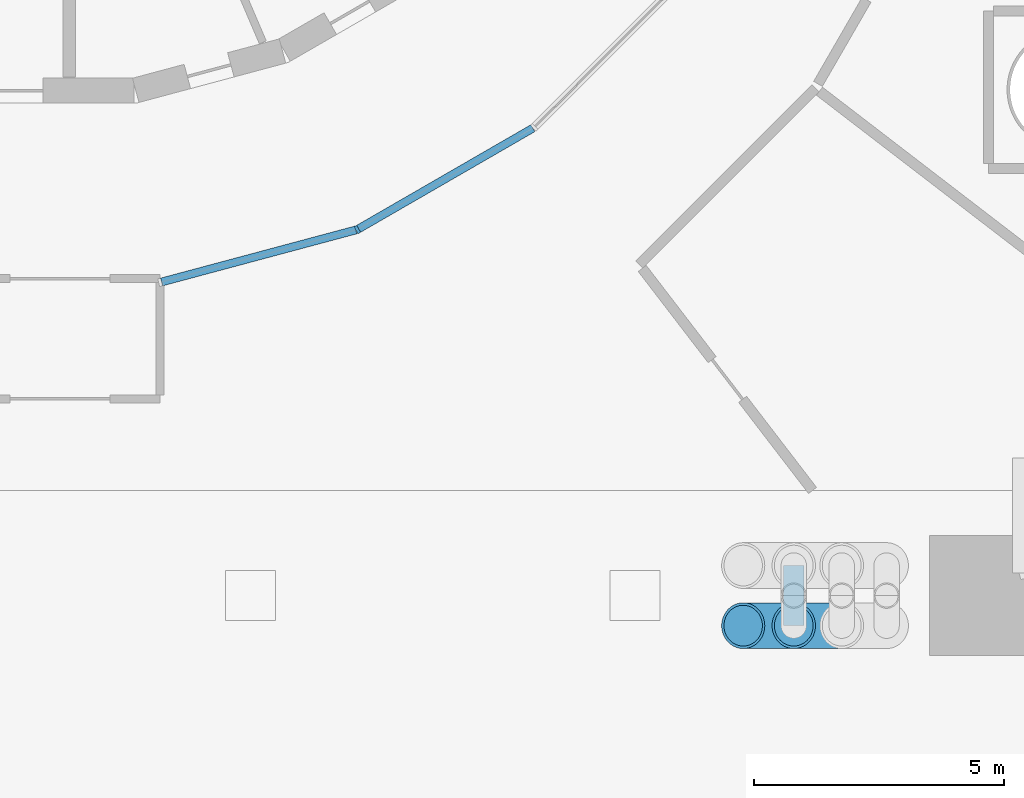
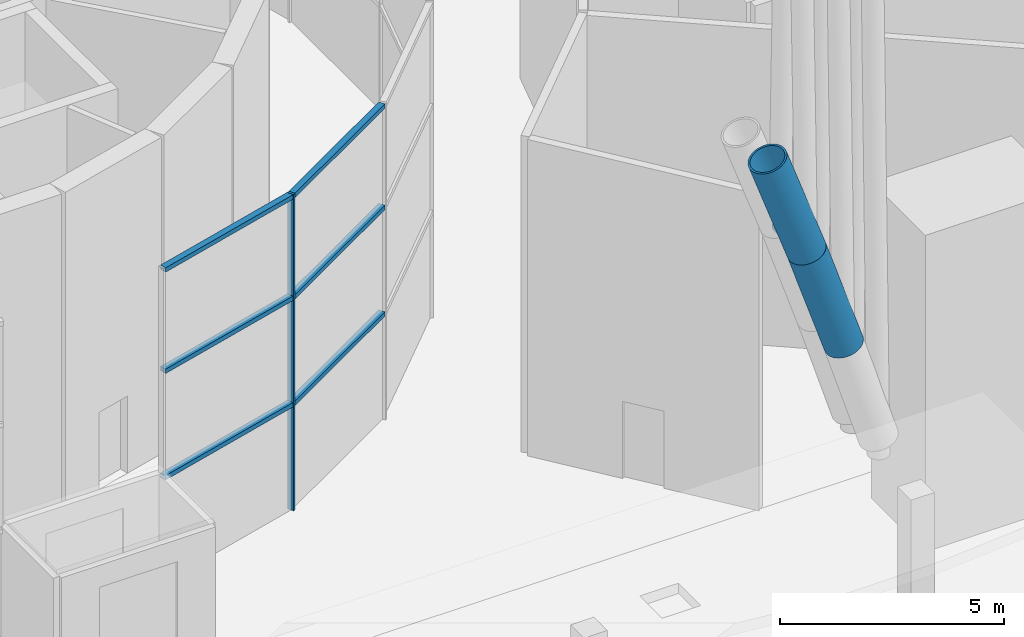
# One storey, part 5 of 21: 10 members, 2 elements without a shape of their own.
"""IFC4 building model written with IfcOpenShell, lengths in metres."""

from ifc_helpers import new_model, si_unit, direction, frame, origin, origin_2d, place, context, subcontext, project, spatial, rectangle, hollow_circle, extrude, material, layer, layer_set, material_profile, profile_set, type_object, element, aggregate, save


model = new_model("IFC4")

# Units and contexts
model_context = context("Model", 3, precision=1e-05, world=origin(), true_north=direction((0.0, 1.0)))
body_context = subcontext(model_context, "Body", "Model", "MODEL_VIEW")
ifc_project = project(units=[si_unit("LENGTHUNIT", "METRE"), si_unit("AREAUNIT", "SQUARE_METRE"), si_unit("VOLUMEUNIT", "CUBIC_METRE"), si_unit("PLANEANGLEUNIT", "RADIAN"), si_unit("MASSUNIT", "GRAM", prefix="KILO")], contexts=[model_context])

# Site, building, storey
site_placement = place(None, origin())
site = spatial("IfcSite", under=ifc_project, at=site_placement, CompositionType="ELEMENT")
building_placement = place(site_placement, origin())
building = spatial("IfcBuilding", under=site, at=building_placement, Name="Spindle Arch Residences", CompositionType="ELEMENT")
storey_placement = place(building_placement, origin())
storey = spatial("IfcBuildingStorey", under=building, at=storey_placement, Name="L00", CompositionType="ELEMENT", Elevation=0.0)

# Members
ifc_material_1 = material(Name="Steel S355J2, intumescent coating R 240", Category="steel")
ifc_material_profile_1 = material_profile(ifc_material_1, hollow_circle(Radius=0.45703125, WallThickness=0.050048828125, at=origin_2d()), Name="CHS 914x50")
ifc_profile_set_1 = profile_set([ifc_material_profile_1], Name="Steel S355J2, intumescent coating R 240")
member_type_1 = type_object("IfcMemberType", Name="Arch rib CHS 914x50", PredefinedType="MEMBER", material=ifc_profile_set_1)
member_1_placement = place(storey_placement, frame((13.676513671875, -22.329833984375, 11.643310546875), z_axis=(0.335262444935, 0.0, -0.942124775715), x_axis=(0.0, 1.0, 0.0)))
element("IfcMember", 1, at=member_1_placement, inside=storey, type_object=member_type_1, Name="Arch rib 1.21", PredefinedType="MEMBER", context=body_context, shape_type="SweptSolid", body=[
    extrude(hollow_circle(Radius=0.45703125, WallThickness=0.050048828125, at=origin_2d()), origin(), (0.0, 0.0, 1.0), 3.010498046875),
])
member_2_placement = place(storey_placement, frame((14.685791015625, -22.329833984375, 8.80712890625), z_axis=(0.315744442674, 0.0, -0.948844269056), x_axis=(0.0, 1.0, 0.0)))
element("IfcMember", 2, at=member_2_placement, inside=storey, type_object=member_type_1, Name="Arch rib 1.22", PredefinedType="MEMBER", context=body_context, shape_type="SweptSolid", body=[
    extrude(hollow_circle(Radius=0.45703125, WallThickness=0.050048828125, at=origin_2d()), origin(), (0.0, 0.0, 1.0), 3.031005859375),
])
ifc_material_2 = material(Name="Steel S355J2, intumescent coating R 240", Category="steel")
ifc_material_profile_2 = material_profile(ifc_material_2, hollow_circle(Radius=0.203125, WallThickness=0.02001953125, at=origin_2d()), Name="CHS 406.4x20")
ifc_profile_set_2 = profile_set([ifc_material_profile_2], Name="Steel S355J2, intumescent coating R 240")
member_type_2 = type_object("IfcMemberType", Name="Arch tie CHS 406.4x20", PredefinedType="MEMBER", material=ifc_profile_set_2)
member_3_placement = place(storey_placement, frame((14.685791015625, -22.329833984375, 8.80712890625), z_axis=(0.0, 1.0, 0.0), x_axis=(-1.0, 0.0, 0.0)))
element("IfcMember", 3, at=member_3_placement, inside=storey, type_object=member_type_2, Name="Arch tie 21", PredefinedType="MEMBER", context=body_context, shape_type="SweptSolid", body=[
    extrude(hollow_circle(Radius=0.203125, WallThickness=0.02001953125, at=origin_2d()), origin(), (0.0, 0.0, 1.0), 1.199951171875),
])

# Curtain wall, members
ifc_material_3 = material(Name="Aluminium bronze unitised frame with tinted glass", Category="aluminium")
ifc_layer = layer(ifc_material_3, 0.159912109375)
ifc_layer_set = layer_set([ifc_layer], Name="CW-A arcade glazed lobby wall")
curtain_wall_type = type_object("IfcCurtainWallType", Name="CW-A arcade glazed lobby wall", PredefinedType="NOTDEFINED", material=ifc_layer_set)
curtain_wall_1_placement = place(storey_placement, origin())
curtain_wall_1 = element("IfcCurtainWall", 4, at=curtain_wall_1_placement, inside=storey, type_object=curtain_wall_type, Name="CW-A L00 CWA00", PredefinedType="NOTDEFINED")
ifc_material_4 = material(Name="Aluminium bronze anodised mullion", Category="aluminium")
ifc_material_profile_3 = material_profile(ifc_material_4, rectangle(XDim=0.159912109375, YDim=0.06005859375, at=origin_2d()), Name="MU 60x160")
ifc_profile_set_3 = profile_set([ifc_material_profile_3], Name="Aluminium bronze anodised mullion")
member_type_3 = type_object("IfcMemberType", Name="Bronze mullion 60x160", PredefinedType="MULLION", material=ifc_profile_set_3)
member_4_placement = place(storey_placement, frame((5.973876953125, -14.422119140625, 0.0), z_axis=(0.0, 0.0, 1.0), x_axis=(-0.500022695718, 0.866012300009, 0.0)))
member_4 = element("IfcMember", 5, at=member_4_placement, type_object=member_type_3, Name="CW-A mullion 1", PredefinedType="MULLION", context=body_context, shape_type="SweptSolid", body=[
    extrude(rectangle(XDim=0.159912109375, YDim=0.06005859375, at=origin_2d()), origin(), (0.0, 0.0, 1.0), 8.6201171875),
])
ifc_material_5 = material(Name="Aluminium bronze anodised transom", Category="aluminium")
ifc_material_profile_4 = material_profile(ifc_material_5, rectangle(XDim=0.159912109375, YDim=0.1201171875, at=origin_2d()), Name="TR 120x160")
ifc_profile_set_4 = profile_set([ifc_material_profile_4], Name="Aluminium bronze anodised transom")
member_type_4 = type_object("IfcMemberType", Name="Bronze transom 120x160", PredefinedType="USERDEFINED", material=ifc_profile_set_4)
member_5_placement = place(storey_placement, frame((5.999755859375, -14.406982421875, 2.89990234375), z_axis=(0.866015464827, 0.500017214385, 0.0), x_axis=(-0.500017214385, 0.866015464827, 0.0)))
member_5 = element("IfcMember", 6, at=member_5_placement, type_object=member_type_4, Name="CW-A transom 00.1", ObjectType="TRANSOM", PredefinedType="USERDEFINED", context=body_context, shape_type="SweptSolid", body=[
    extrude(rectangle(XDim=0.159912109375, YDim=0.1201171875, at=origin_2d()), origin(), (0.0, 0.0, 1.0), 4.014892578125),
])
member_6_placement = place(storey_placement, frame((5.999755859375, -14.406982421875, 5.800048828125), z_axis=(0.866015464827, 0.500017214385, 0.0), x_axis=(-0.500017214385, 0.866015464827, 0.0)))
member_6 = element("IfcMember", 7, at=member_6_placement, type_object=member_type_4, Name="CW-A transom 00.2", ObjectType="TRANSOM", PredefinedType="USERDEFINED", context=body_context, shape_type="SweptSolid", body=[
    extrude(rectangle(XDim=0.159912109375, YDim=0.1201171875, at=origin_2d()), origin(), (0.0, 0.0, 1.0), 4.014892578125),
])
member_7_placement = place(storey_placement, frame((5.999755859375, -14.406982421875, 8.56005859375), z_axis=(0.866015464827, 0.500017214385, 0.0), x_axis=(-0.500017214385, 0.866015464827, 0.0)))
member_7 = element("IfcMember", 8, at=member_7_placement, type_object=member_type_4, Name="CW-A transom 00.3", ObjectType="TRANSOM", PredefinedType="USERDEFINED", context=body_context, shape_type="SweptSolid", body=[
    extrude(rectangle(XDim=0.159912109375, YDim=0.1201171875, at=origin_2d()), origin(), (0.0, 0.0, 1.0), 4.014892578125),
])
aggregate(curtain_wall_1, [member_4, member_5, member_6, member_7])

curtain_wall_2_placement = place(storey_placement, origin())
curtain_wall_2 = element("IfcCurtainWall", 9, at=curtain_wall_2_placement, inside=storey, type_object=curtain_wall_type, Name="CW-A L00 CWA23", PredefinedType="NOTDEFINED")
member_8_placement = place(storey_placement, frame((2.06640625, -15.46875, 2.89990234375), z_axis=(0.965935567517, 0.258782687609, 0.0), x_axis=(-0.258782687609, 0.965935567517, 0.0)))
member_8 = element("IfcMember", 10, at=member_8_placement, type_object=member_type_4, Name="CW-A transom 00.1", ObjectType="TRANSOM", PredefinedType="USERDEFINED", context=body_context, shape_type="SweptSolid", body=[
    extrude(rectangle(XDim=0.159912109375, YDim=0.1201171875, at=origin_2d()), origin(), (0.0, 0.0, 1.0), 4.01513671875),
])
member_9_placement = place(storey_placement, frame((2.06640625, -15.46875, 5.800048828125), z_axis=(0.965935567517, 0.258782687609, 0.0), x_axis=(-0.258782687609, 0.965935567517, 0.0)))
member_9 = element("IfcMember", 11, at=member_9_placement, type_object=member_type_4, Name="CW-A transom 00.2", ObjectType="TRANSOM", PredefinedType="USERDEFINED", context=body_context, shape_type="SweptSolid", body=[
    extrude(rectangle(XDim=0.159912109375, YDim=0.1201171875, at=origin_2d()), origin(), (0.0, 0.0, 1.0), 4.01513671875),
])
member_10_placement = place(storey_placement, frame((2.06640625, -15.46875, 8.56005859375), z_axis=(0.965935567517, 0.258782687609, 0.0), x_axis=(-0.258782687609, 0.965935567517, 0.0)))
member_10 = element("IfcMember", 12, at=member_10_placement, type_object=member_type_4, Name="CW-A transom 00.3", ObjectType="TRANSOM", PredefinedType="USERDEFINED", context=body_context, shape_type="SweptSolid", body=[
    extrude(rectangle(XDim=0.159912109375, YDim=0.1201171875, at=origin_2d()), origin(), (0.0, 0.0, 1.0), 4.01513671875),
])
aggregate(curtain_wall_2, [member_8, member_9, member_10])

save(model, "model.ifc")
